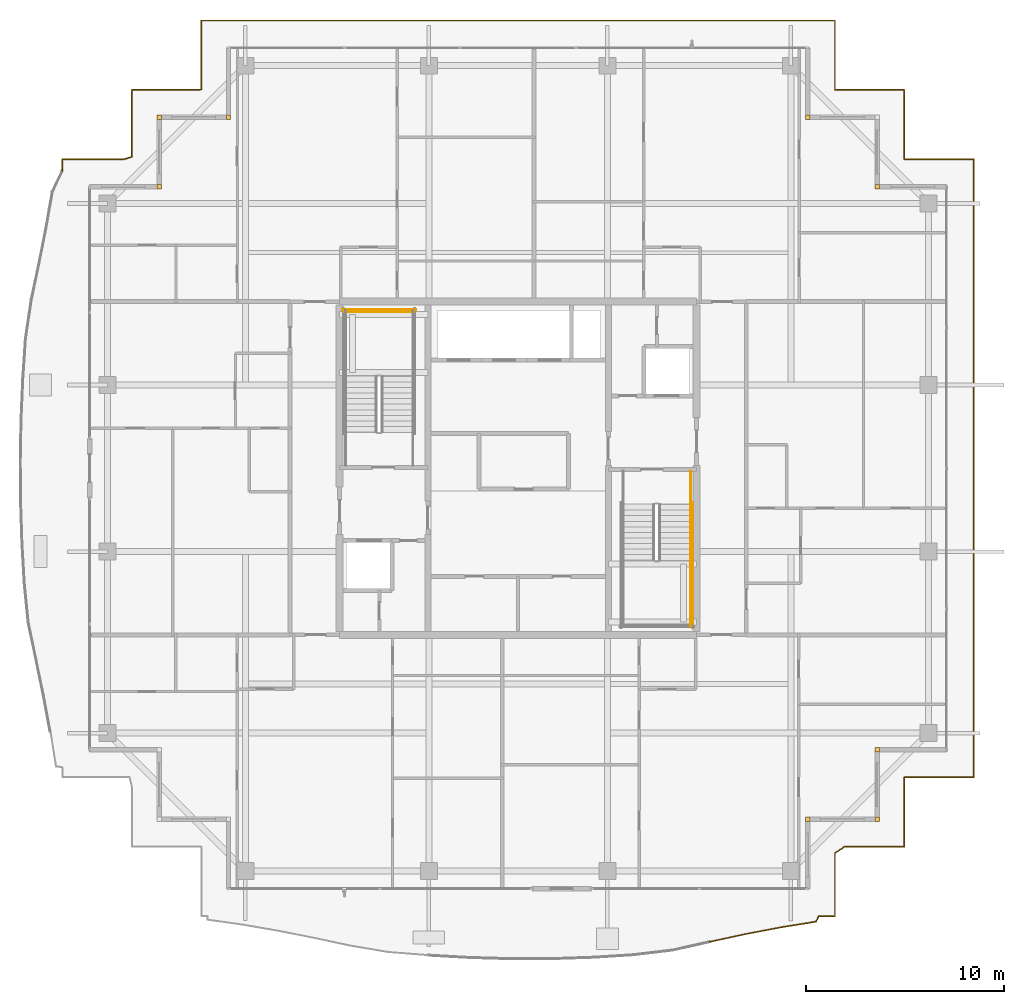
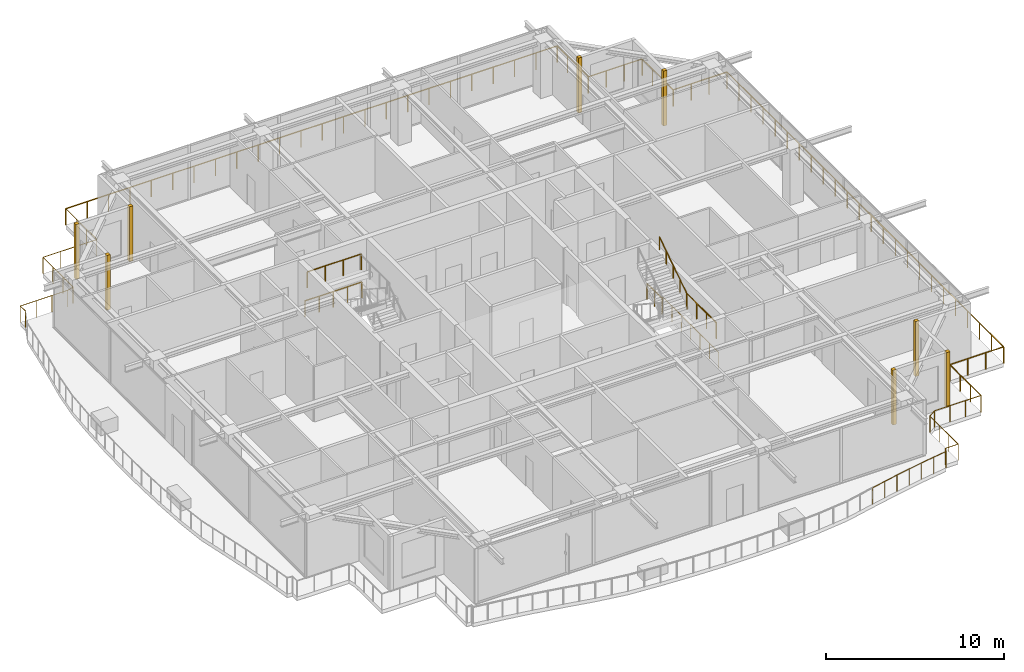
# One storey, part 35 of 36: 9 railings, 8 coverings.
"""IFC4 building model written with IfcOpenShell, lengths in metres."""

from ifc_helpers import new_model, si_unit, direction, frame, origin, origin_2d, place, context, subcontext, project, spatial, rectangle, circle, extrude, source, transform, mapped, material, layer, layer_set, type_object, element, save


model = new_model("IFC4")

# Units and contexts
model_context = context("Model", 3, precision=1e-05, world=origin(), true_north=direction((0.0, 1.0)))
body_context = subcontext(model_context, "Body", "Model", "MODEL_VIEW")
ifc_project = project(units=[si_unit("LENGTHUNIT", "METRE"), si_unit("AREAUNIT", "SQUARE_METRE"), si_unit("VOLUMEUNIT", "CUBIC_METRE"), si_unit("PLANEANGLEUNIT", "RADIAN"), si_unit("MASSUNIT", "GRAM", prefix="KILO")], contexts=[model_context])

# Site, building, storey
site_placement = place(None, origin())
site = spatial("IfcSite", under=ifc_project, at=site_placement, CompositionType="ELEMENT")
building_placement = place(site_placement, origin())
building = spatial("IfcBuilding", under=site, at=building_placement, Name="Serunith Strait Residences", CompositionType="ELEMENT")
storey_placement = place(building_placement, frame((0.0, 0.0, 338.0)))
storey = spatial("IfcBuildingStorey", under=building, at=storey_placement, Name="L84", CompositionType="ELEMENT", Elevation=338.0)

# Railings
ifc_material_1 = material(Name="Stainless Steel & Laminated Glass Balustrade", Category="steel")
railing_type_1 = type_object("IfcRailingType", Name="RLG-BALC-1150", PredefinedType="BALUSTRADE", material=ifc_material_1)
railing_1_placement = place(storey_placement, frame((9.419921875, 40.195068359375, -0.050048828125)))
element("IfcRailing", 1, at=railing_1_placement, inside=storey, type_object=railing_type_1, Name="L84 Swirling Balcony Perimeter Balustrade 4", PredefinedType="BALUSTRADE", context=body_context, shape_type="SweptSolid", body=[
    extrude(circle(Radius=0.02392578125, at=origin_2d()), frame((0.0, 0.001953125, 1.1259765625), z_axis=(0.0, 1.0, 0.0), x_axis=(-1.0, 0.0, 0.0)), (0.0, 0.0, 1.0), 0.5810546875),
    extrude(circle(Radius=0.02392578125, at=origin_2d()), frame((0.001953125, 0.5849609375, 1.1259765625), z_axis=(1.0, 0.0, 0.0), x_axis=(0.0, 1.0, 0.0)), (0.0, 0.0, 1.0), 3.083740234375),
    extrude(circle(Radius=0.02392578125, at=origin_2d()), frame((3.089599609375, 0.58544921875, 1.1259765625), z_axis=(0.957779450299, 0.287503955774, 0.0), x_axis=(-0.287503955774, 0.957779450299, 0.0)), (0.0, 0.0, 1.0), 0.426513671875),
    extrude(circle(Radius=0.02392578125, at=origin_2d()), frame((3.5, 0.710693359375, 1.1259765625), z_axis=(0.0, 1.0, 0.0), x_axis=(-1.0, 0.0, 0.0)), (0.0, 0.0, 1.0), 3.372314453125),
    extrude(circle(Radius=0.02392578125, at=origin_2d()), frame((3.501953125, 4.0849609375, 1.1259765625), z_axis=(1.0, 0.0, 0.0), x_axis=(0.0, 1.0, 0.0)), (0.0, 0.0, 1.0), 3.44384765625),
    extrude(circle(Radius=0.02392578125, at=origin_2d()), frame((7.0, 4.1142578125, 1.1259765625), z_axis=(0.0, 1.0, 0.0), x_axis=(-1.0, 0.0, 0.0)), (0.0, 0.0, 1.0), 3.46875),
    extrude(circle(Radius=0.02099609375, at=origin_2d()), origin(), (0.0, 0.0, 1.0), 1.099853515625),
    extrude(circle(Radius=0.02099609375, at=origin_2d()), frame((0.0, 0.5849609375, 0.0)), (0.0, 0.0, 1.0), 1.099853515625),
    extrude(circle(Radius=0.02099609375, at=origin_2d()), frame((1.029296875, 0.5849609375, 0.0)), (0.0, 0.0, 1.0), 1.099853515625),
    extrude(circle(Radius=0.02099609375, at=origin_2d()), frame((2.058349609375, 0.5849609375, 0.0)), (0.0, 0.0, 1.0), 1.099853515625),
    extrude(circle(Radius=0.02099609375, at=origin_2d()), frame((3.087646484375, 0.5849609375, 0.0)), (0.0, 0.0, 1.0), 1.099853515625),
    extrude(circle(Radius=0.02099609375, at=origin_2d()), frame((3.5, 0.708740234375, 0.0)), (0.0, 0.0, 1.0), 1.099853515625),
    extrude(circle(Radius=0.02099609375, at=origin_2d()), frame((3.5, 1.834228515625, 0.0)), (0.0, 0.0, 1.0), 1.099853515625),
    extrude(circle(Radius=0.02099609375, at=origin_2d()), frame((3.5, 2.95947265625, 0.0)), (0.0, 0.0, 1.0), 1.099853515625),
    extrude(circle(Radius=0.02099609375, at=origin_2d()), frame((3.5, 4.0849609375, 0.0)), (0.0, 0.0, 1.0), 1.099853515625),
    extrude(circle(Radius=0.02099609375, at=origin_2d()), frame((4.649169921875, 4.0849609375, 0.0)), (0.0, 0.0, 1.0), 1.099853515625),
    extrude(circle(Radius=0.02099609375, at=origin_2d()), frame((5.798583984375, 4.0849609375, 0.0)), (0.0, 0.0, 1.0), 1.099853515625),
    extrude(circle(Radius=0.02099609375, at=origin_2d()), frame((7.0, 4.1123046875, 0.0)), (0.0, 0.0, 1.0), 1.099853515625),
    extrude(circle(Radius=0.02099609375, at=origin_2d()), frame((7.0, 5.269775390625, 0.0)), (0.0, 0.0, 1.0), 1.099853515625),
    extrude(circle(Radius=0.02099609375, at=origin_2d()), frame((7.0, 6.427490234375, 0.0)), (0.0, 0.0, 1.0), 1.099853515625),
    extrude(circle(Radius=0.02099609375, at=origin_2d()), frame((7.0, 7.5849609375, 0.0)), (0.0, 0.0, 1.0), 1.099853515625),
])
railing_2_placement = place(storey_placement, frame((16.419921875, 47.780029296875, -0.050048828125)))
element("IfcRailing", 2, at=railing_2_placement, inside=storey, type_object=railing_type_1, Name="L84 Swirling Balcony Perimeter Balustrade 5", PredefinedType="BALUSTRADE", context=body_context, shape_type="SweptSolid", body=[
    extrude(circle(Radius=0.02392578125, at=origin_2d()), frame((0.001953125, 0.0, 1.1259765625), z_axis=(1.0, 0.0, 0.0), x_axis=(0.0, 1.0, 0.0)), (0.0, 0.0, 1.0), 31.9560546875),
    extrude(circle(Radius=0.02392578125, at=origin_2d()), frame((31.9599609375, -0.001953125, 1.1259765625), z_axis=(0.0, -1.0, 0.0), x_axis=(1.0, 0.0, 0.0)), (0.0, 0.0, 1.0), 3.49609375),
    extrude(circle(Radius=0.02392578125, at=origin_2d()), frame((31.9619140625, -3.5, 1.1259765625), z_axis=(1.0, 0.0, 0.0), x_axis=(0.0, 1.0, 0.0)), (0.0, 0.0, 1.0), 3.49609375),
    extrude(circle(Radius=0.02392578125, at=origin_2d()), frame((35.4599609375, -3.501953125, 1.1259765625), z_axis=(0.0, -1.0, 0.0), x_axis=(1.0, 0.0, 0.0)), (0.0, 0.0, 1.0), 3.49609375),
    extrude(circle(Radius=0.02392578125, at=origin_2d()), frame((35.4619140625, -7.0, 1.1259765625), z_axis=(1.0, 0.0, 0.0), x_axis=(0.0, 1.0, 0.0)), (0.0, 0.0, 1.0), 3.49609375),
    extrude(circle(Radius=0.02392578125, at=origin_2d()), frame((38.9599609375, -7.001953125, 1.1259765625), z_axis=(0.0, -1.0, 0.0), x_axis=(1.0, 0.0, 0.0)), (0.0, 0.0, 1.0), 31.156005859375),
    extrude(circle(Radius=0.02392578125, at=origin_2d()), frame((38.9580078125, -38.159912109375, 1.1259765625), z_axis=(-1.0, 0.0, 0.0), x_axis=(0.0, -1.0, 0.0)), (0.0, 0.0, 1.0), 3.49609375),
    extrude(circle(Radius=0.02392578125, at=origin_2d()), frame((35.4599609375, -38.161865234375, 1.1259765625), z_axis=(0.0, -1.0, 0.0), x_axis=(1.0, 0.0, 0.0)), (0.0, 0.0, 1.0), 3.49609375),
    extrude(circle(Radius=0.02099609375, at=origin_2d()), origin(), (0.0, 0.0, 1.0), 1.099853515625),
    extrude(circle(Radius=0.02099609375, at=origin_2d()), frame((1.3896484375, 0.0, 0.0)), (0.0, 0.0, 1.0), 1.099853515625),
    extrude(circle(Radius=0.02099609375, at=origin_2d()), frame((2.779052734375, 0.0, 0.0)), (0.0, 0.0, 1.0), 1.099853515625),
    extrude(circle(Radius=0.02099609375, at=origin_2d()), frame((4.168701171875, 0.0, 0.0)), (0.0, 0.0, 1.0), 1.099853515625),
    extrude(circle(Radius=0.02099609375, at=origin_2d()), frame((5.558349609375, 0.0, 0.0)), (0.0, 0.0, 1.0), 1.099853515625),
    extrude(circle(Radius=0.02099609375, at=origin_2d()), frame((6.94775390625, 0.0, 0.0)), (0.0, 0.0, 1.0), 1.099853515625),
    extrude(circle(Radius=0.02099609375, at=origin_2d()), frame((8.33740234375, 0.0, 0.0)), (0.0, 0.0, 1.0), 1.099853515625),
    extrude(circle(Radius=0.02099609375, at=origin_2d()), frame((9.72705078125, 0.0, 0.0)), (0.0, 0.0, 1.0), 1.099853515625),
    extrude(circle(Radius=0.02099609375, at=origin_2d()), frame((11.116455078125, 0.0, 0.0)), (0.0, 0.0, 1.0), 1.099853515625),
    extrude(circle(Radius=0.02099609375, at=origin_2d()), frame((12.506103515625, 0.0, 0.0)), (0.0, 0.0, 1.0), 1.099853515625),
    extrude(circle(Radius=0.02099609375, at=origin_2d()), frame((13.895751953125, 0.0, 0.0)), (0.0, 0.0, 1.0), 1.099853515625),
    extrude(circle(Radius=0.02099609375, at=origin_2d()), frame((15.28515625, 0.0, 0.0)), (0.0, 0.0, 1.0), 1.099853515625),
    extrude(circle(Radius=0.02099609375, at=origin_2d()), frame((16.6748046875, 0.0, 0.0)), (0.0, 0.0, 1.0), 1.099853515625),
    extrude(circle(Radius=0.02099609375, at=origin_2d()), frame((18.064208984375, 0.0, 0.0)), (0.0, 0.0, 1.0), 1.099853515625),
    extrude(circle(Radius=0.02099609375, at=origin_2d()), frame((19.453857421875, 0.0, 0.0)), (0.0, 0.0, 1.0), 1.099853515625),
    extrude(circle(Radius=0.02099609375, at=origin_2d()), frame((20.843505859375, 0.0, 0.0)), (0.0, 0.0, 1.0), 1.099853515625),
    extrude(circle(Radius=0.02099609375, at=origin_2d()), frame((22.23291015625, 0.0, 0.0)), (0.0, 0.0, 1.0), 1.099853515625),
    extrude(circle(Radius=0.02099609375, at=origin_2d()), frame((23.62255859375, 0.0, 0.0)), (0.0, 0.0, 1.0), 1.099853515625),
    extrude(circle(Radius=0.02099609375, at=origin_2d()), frame((25.01220703125, 0.0, 0.0)), (0.0, 0.0, 1.0), 1.099853515625),
    extrude(circle(Radius=0.02099609375, at=origin_2d()), frame((26.401611328125, 0.0, 0.0)), (0.0, 0.0, 1.0), 1.099853515625),
    extrude(circle(Radius=0.02099609375, at=origin_2d()), frame((27.791259765625, 0.0, 0.0)), (0.0, 0.0, 1.0), 1.099853515625),
    extrude(circle(Radius=0.02099609375, at=origin_2d()), frame((29.180908203125, 0.0, 0.0)), (0.0, 0.0, 1.0), 1.099853515625),
    extrude(circle(Radius=0.02099609375, at=origin_2d()), frame((30.5703125, 0.0, 0.0)), (0.0, 0.0, 1.0), 1.099853515625),
    extrude(circle(Radius=0.02099609375, at=origin_2d()), frame((31.9599609375, 0.0, 0.0)), (0.0, 0.0, 1.0), 1.099853515625),
    extrude(circle(Radius=0.02099609375, at=origin_2d()), frame((31.9599609375, -1.166748046875, 0.0)), (0.0, 0.0, 1.0), 1.099853515625),
    extrude(circle(Radius=0.02099609375, at=origin_2d()), frame((31.9599609375, -2.333251953125, 0.0)), (0.0, 0.0, 1.0), 1.099853515625),
    extrude(circle(Radius=0.02099609375, at=origin_2d()), frame((31.9599609375, -3.5, 0.0)), (0.0, 0.0, 1.0), 1.099853515625),
    extrude(circle(Radius=0.02099609375, at=origin_2d()), frame((33.126708984375, -3.5, 0.0)), (0.0, 0.0, 1.0), 1.099853515625),
    extrude(circle(Radius=0.02099609375, at=origin_2d()), frame((34.293212890625, -3.5, 0.0)), (0.0, 0.0, 1.0), 1.099853515625),
    extrude(circle(Radius=0.02099609375, at=origin_2d()), frame((35.4599609375, -3.5, 0.0)), (0.0, 0.0, 1.0), 1.099853515625),
    extrude(circle(Radius=0.02099609375, at=origin_2d()), frame((35.4599609375, -4.666748046875, 0.0)), (0.0, 0.0, 1.0), 1.099853515625),
    extrude(circle(Radius=0.02099609375, at=origin_2d()), frame((35.4599609375, -5.833251953125, 0.0)), (0.0, 0.0, 1.0), 1.099853515625),
    extrude(circle(Radius=0.02099609375, at=origin_2d()), frame((35.4599609375, -7.0, 0.0)), (0.0, 0.0, 1.0), 1.099853515625),
    extrude(circle(Radius=0.02099609375, at=origin_2d()), frame((36.626708984375, -7.0, 0.0)), (0.0, 0.0, 1.0), 1.099853515625),
    extrude(circle(Radius=0.02099609375, at=origin_2d()), frame((37.793212890625, -7.0, 0.0)), (0.0, 0.0, 1.0), 1.099853515625),
    extrude(circle(Radius=0.02099609375, at=origin_2d()), frame((38.9599609375, -7.0, 0.0)), (0.0, 0.0, 1.0), 1.099853515625),
    extrude(circle(Radius=0.02099609375, at=origin_2d()), frame((38.9599609375, -8.354736328125, 0.0)), (0.0, 0.0, 1.0), 1.099853515625),
    extrude(circle(Radius=0.02099609375, at=origin_2d()), frame((38.9599609375, -9.70947265625, 0.0)), (0.0, 0.0, 1.0), 1.099853515625),
    extrude(circle(Radius=0.02099609375, at=origin_2d()), frame((38.9599609375, -11.064453125, 0.0)), (0.0, 0.0, 1.0), 1.099853515625),
    extrude(circle(Radius=0.02099609375, at=origin_2d()), frame((38.9599609375, -12.419189453125, 0.0)), (0.0, 0.0, 1.0), 1.099853515625),
    extrude(circle(Radius=0.02099609375, at=origin_2d()), frame((38.9599609375, -13.77392578125, 0.0)), (0.0, 0.0, 1.0), 1.099853515625),
    extrude(circle(Radius=0.02099609375, at=origin_2d()), frame((38.9599609375, -15.128662109375, 0.0)), (0.0, 0.0, 1.0), 1.099853515625),
    extrude(circle(Radius=0.02099609375, at=origin_2d()), frame((38.9599609375, -16.4833984375, 0.0)), (0.0, 0.0, 1.0), 1.099853515625),
    extrude(circle(Radius=0.02099609375, at=origin_2d()), frame((38.9599609375, -17.838134765625, 0.0)), (0.0, 0.0, 1.0), 1.099853515625),
    extrude(circle(Radius=0.02099609375, at=origin_2d()), frame((38.9599609375, -19.193115234375, 0.0)), (0.0, 0.0, 1.0), 1.099853515625),
    extrude(circle(Radius=0.02099609375, at=origin_2d()), frame((38.9599609375, -20.5478515625, 0.0)), (0.0, 0.0, 1.0), 1.099853515625),
    extrude(circle(Radius=0.02099609375, at=origin_2d()), frame((38.9599609375, -21.902587890625, 0.0)), (0.0, 0.0, 1.0), 1.099853515625),
    extrude(circle(Radius=0.02099609375, at=origin_2d()), frame((38.9599609375, -23.25732421875, 0.0)), (0.0, 0.0, 1.0), 1.099853515625),
    extrude(circle(Radius=0.02099609375, at=origin_2d()), frame((38.9599609375, -24.612060546875, 0.0)), (0.0, 0.0, 1.0), 1.099853515625),
    extrude(circle(Radius=0.02099609375, at=origin_2d()), frame((38.9599609375, -25.966796875, 0.0)), (0.0, 0.0, 1.0), 1.099853515625),
    extrude(circle(Radius=0.02099609375, at=origin_2d()), frame((38.9599609375, -27.32177734375, 0.0)), (0.0, 0.0, 1.0), 1.099853515625),
    extrude(circle(Radius=0.02099609375, at=origin_2d()), frame((38.9599609375, -28.676513671875, 0.0)), (0.0, 0.0, 1.0), 1.099853515625),
    extrude(circle(Radius=0.02099609375, at=origin_2d()), frame((38.9599609375, -30.03125, 0.0)), (0.0, 0.0, 1.0), 1.099853515625),
    extrude(circle(Radius=0.02099609375, at=origin_2d()), frame((38.9599609375, -31.385986328125, 0.0)), (0.0, 0.0, 1.0), 1.099853515625),
    extrude(circle(Radius=0.02099609375, at=origin_2d()), frame((38.9599609375, -32.74072265625, 0.0)), (0.0, 0.0, 1.0), 1.099853515625),
    extrude(circle(Radius=0.02099609375, at=origin_2d()), frame((38.9599609375, -34.095458984375, 0.0)), (0.0, 0.0, 1.0), 1.099853515625),
    extrude(circle(Radius=0.02099609375, at=origin_2d()), frame((38.9599609375, -35.450439453125, 0.0)), (0.0, 0.0, 1.0), 1.099853515625),
    extrude(circle(Radius=0.02099609375, at=origin_2d()), frame((38.9599609375, -36.80517578125, 0.0)), (0.0, 0.0, 1.0), 1.099853515625),
    extrude(circle(Radius=0.02099609375, at=origin_2d()), frame((38.9599609375, -38.159912109375, 0.0)), (0.0, 0.0, 1.0), 1.099853515625),
    extrude(circle(Radius=0.02099609375, at=origin_2d()), frame((37.793212890625, -38.159912109375, 0.0)), (0.0, 0.0, 1.0), 1.099853515625),
    extrude(circle(Radius=0.02099609375, at=origin_2d()), frame((36.626708984375, -38.159912109375, 0.0)), (0.0, 0.0, 1.0), 1.099853515625),
    extrude(circle(Radius=0.02099609375, at=origin_2d()), frame((35.4599609375, -38.159912109375, 0.0)), (0.0, 0.0, 1.0), 1.099853515625),
    extrude(circle(Radius=0.02099609375, at=origin_2d()), frame((35.4599609375, -39.32666015625, 0.0)), (0.0, 0.0, 1.0), 1.099853515625),
    extrude(circle(Radius=0.02099609375, at=origin_2d()), frame((35.4599609375, -40.4931640625, 0.0)), (0.0, 0.0, 1.0), 1.099853515625),
    extrude(circle(Radius=0.02099609375, at=origin_2d()), frame((35.4599609375, -41.659912109375, 0.0)), (0.0, 0.0, 1.0), 1.099853515625),
])
railing_3_placement = place(storey_placement, frame((51.8798828125, 6.1201171875, -0.050048828125)))
element("IfcRailing", 3, at=railing_3_placement, inside=storey, type_object=railing_type_1, Name="L84 Swirling Balcony Perimeter Balustrade 6", PredefinedType="BALUSTRADE", context=body_context, shape_type="SweptSolid", body=[
    extrude(circle(Radius=0.02392578125, at=origin_2d()), frame((-0.001953125, 0.0, 1.1259765625), z_axis=(-1.0, 0.0, 0.0), x_axis=(0.0, -1.0, 0.0)), (0.0, 0.0, 1.0), 3.007568359375),
    extrude(circle(Radius=0.02392578125, at=origin_2d()), frame((-3.01318359375, -0.0009765625, 1.1259765625), z_axis=(-0.836844344824, -0.547440903236, 0.0), x_axis=(0.547440903236, -0.836844344824, 0.0)), (0.0, 0.0, 1.0), 0.579833984375),
    extrude(circle(Radius=0.02392578125, at=origin_2d()), frame((-3.5, -0.321533203125, 1.1259765625), z_axis=(0.0, -1.0, 0.0), x_axis=(1.0, 0.0, 0.0)), (0.0, 0.0, 1.0), 3.176513671875),
    extrude(circle(Radius=0.02392578125, at=origin_2d()), frame((-3.501953125, -3.5, 1.1259765625), z_axis=(-1.0, 0.0, 0.0), x_axis=(0.0, -1.0, 0.0)), (0.0, 0.0, 1.0), 0.811767578125),
    extrude(circle(Radius=0.02392578125, at=origin_2d()), frame((-4.316650390625, -3.501708984375, 1.1259765625), z_axis=(-0.44254099565, -0.896748274138, 0.0), x_axis=(0.896748274138, -0.44254099565, 0.0)), (0.0, 0.0, 1.0), 0.309814453125),
    extrude(circle(Radius=0.02392578125, at=origin_2d()), frame((-4.45654296875, -3.78173828125, 1.1259765625), z_axis=(-0.987452584094, -0.15791578188, 0.0), x_axis=(0.15791578188, -0.987452584094, 0.0)), (0.0, 0.0, 1.0), 1.780029296875),
    extrude(circle(Radius=0.02392578125, at=origin_2d()), frame((-6.21826171875, -4.063720703125, 1.1259765625), z_axis=(-0.982049665646, -0.188622517753, 0.0), x_axis=(0.188622517753, -0.982049665646, 0.0)), (0.0, 0.0, 1.0), 1.80810546875),
    extrude(circle(Radius=0.02392578125, at=origin_2d()), frame((-7.997802734375, -4.405517578125, 1.1259765625), z_axis=(-0.977323140027, -0.211753347006, 0.0), x_axis=(0.211753347006, -0.977323140027, 0.0)), (0.0, 0.0, 1.0), 1.8544921875),
    extrude(circle(Radius=0.02099609375, at=origin_2d()), origin(), (0.0, 0.0, 1.0), 1.099853515625),
    extrude(circle(Radius=0.02099609375, at=origin_2d()), frame((-1.00390625, 0.0, 0.0)), (0.0, 0.0, 1.0), 1.099853515625),
    extrude(circle(Radius=0.02099609375, at=origin_2d()), frame((-2.007568359375, 0.0, 0.0)), (0.0, 0.0, 1.0), 1.099853515625),
    extrude(circle(Radius=0.02099609375, at=origin_2d()), frame((-3.011474609375, 0.0, 0.0)), (0.0, 0.0, 1.0), 1.099853515625),
    extrude(circle(Radius=0.02099609375, at=origin_2d()), frame((-3.5, -0.319580078125, 0.0)), (0.0, 0.0, 1.0), 1.099853515625),
    extrude(circle(Radius=0.02099609375, at=origin_2d()), frame((-3.5, -1.379638671875, 0.0)), (0.0, 0.0, 1.0), 1.099853515625),
    extrude(circle(Radius=0.02099609375, at=origin_2d()), frame((-3.5, -2.43994140625, 0.0)), (0.0, 0.0, 1.0), 1.099853515625),
    extrude(circle(Radius=0.02099609375, at=origin_2d()), frame((-3.5, -3.5, 0.0)), (0.0, 0.0, 1.0), 1.099853515625),
    extrude(circle(Radius=0.02099609375, at=origin_2d()), frame((-4.315673828125, -3.5, 0.0)), (0.0, 0.0, 1.0), 1.099853515625),
    extrude(circle(Radius=0.02099609375, at=origin_2d()), frame((-4.45458984375, -3.781494140625, 0.0)), (0.0, 0.0, 1.0), 1.099853515625),
    extrude(circle(Radius=0.02099609375, at=origin_2d()), frame((-5.33544921875, -3.92236328125, 0.0)), (0.0, 0.0, 1.0), 1.099853515625),
    extrude(circle(Radius=0.02099609375, at=origin_2d()), frame((-6.21630859375, -4.063232421875, 0.0)), (0.0, 0.0, 1.0), 1.099853515625),
    extrude(circle(Radius=0.02099609375, at=origin_2d()), frame((-7.10595703125, -4.234130859375, 0.0)), (0.0, 0.0, 1.0), 1.099853515625),
    extrude(circle(Radius=0.02099609375, at=origin_2d()), frame((-7.995849609375, -4.405029296875, 0.0)), (0.0, 0.0, 1.0), 1.099853515625),
    extrude(circle(Radius=0.02099609375, at=origin_2d()), frame((-8.904052734375, -4.601806640625, 0.0)), (0.0, 0.0, 1.0), 1.099853515625),
    extrude(circle(Radius=0.02099609375, at=origin_2d()), frame((-9.812255859375, -4.798583984375, 0.0)), (0.0, 0.0, 1.0), 1.099853515625),
])
ifc_material_2 = material(Name="Brushed stainless steel 316L", Category="steel")
railing_type_2 = type_object("IfcRailingType", Name="RLG-STAIR-GUARD", PredefinedType="BALUSTRADE", material=ifc_material_2)
railing_4_placement = place(storey_placement, frame((27.14990234375, 33.10009765625, 2.02490234375)))
element("IfcRailing", 4, at=railing_4_placement, inside=storey, type_object=railing_type_2, Name="L84 ST-1 stair guard 5", PredefinedType="BALUSTRADE", context=body_context, shape_type="SweptSolid", body=[
    extrude(circle(Radius=0.02392578125, at=origin_2d()), frame((-0.001953125, 0.0, 1.076171875), z_axis=(-1.0, 0.0, 0.0), x_axis=(0.0, -1.0, 0.0)), (0.0, 0.0, 1.0), 3.49609375),
    extrude(circle(Radius=0.02099609375, at=origin_2d()), origin(), (0.0, 0.0, 1.0), 1.050048828125),
    extrude(circle(Radius=0.02099609375, at=origin_2d()), frame((-1.166748046875, 0.0, 0.0)), (0.0, 0.0, 1.0), 1.050048828125),
    extrude(circle(Radius=0.02099609375, at=origin_2d()), frame((-2.333251953125, 0.0, 0.0)), (0.0, 0.0, 1.0), 1.050048828125),
    extrude(circle(Radius=0.02099609375, at=origin_2d()), frame((-3.5, 0.0, 0.0)), (0.0, 0.0, 1.0), 1.050048828125),
])
railing_5_placement = place(storey_placement, frame((27.25, 33.199951171875, 0.0)))
element("IfcRailing", 5, at=railing_5_placement, inside=storey, type_object=railing_type_2, Name="L84 ST-1 stair guard 12", PredefinedType="BALUSTRADE", context=body_context, shape_type="SweptSolid", body=[
    extrude(circle(Radius=0.02392578125, at=origin_2d()), frame((-0.001953125, 0.0, 1.076171875), z_axis=(-1.0, 0.0, 0.0), x_axis=(0.0, -1.0, 0.0)), (0.0, 0.0, 1.0), 3.696044921875),
    extrude(circle(Radius=0.02099609375, at=origin_2d()), origin(), (0.0, 0.0, 1.0), 1.050048828125),
    extrude(circle(Radius=0.02099609375, at=origin_2d()), frame((-0.925048828125, 0.0, 0.0)), (0.0, 0.0, 1.0), 1.050048828125),
    extrude(circle(Radius=0.02099609375, at=origin_2d()), frame((-1.85009765625, 0.0, 0.0)), (0.0, 0.0, 1.0), 1.050048828125),
    extrude(circle(Radius=0.02099609375, at=origin_2d()), frame((-2.77490234375, 0.0, 0.0)), (0.0, 0.0, 1.0), 1.050048828125),
    extrude(circle(Radius=0.02099609375, at=origin_2d()), frame((-3.699951171875, 0.0, 0.0)), (0.0, 0.0, 1.0), 1.050048828125),
])
railing_6_placement = place(storey_placement, frame((41.10009765625, 20.570068359375, 2.02490234375)))
element("IfcRailing", 6, at=railing_6_placement, inside=storey, type_object=railing_type_2, Name="L84 ST-2 stair guard 4", PredefinedType="BALUSTRADE", context=body_context, shape_type="SweptSolid", body=[
    extrude(circle(Radius=0.02392578125, at=origin_2d()), frame((0.0, -0.001953125, 1.076171875), z_axis=(0.0, -1.0, 0.0), x_axis=(1.0, 0.0, 0.0)), (0.0, 0.0, 1.0), 3.316162109375),
    extrude(circle(Radius=0.02099609375, at=origin_2d()), origin(), (0.0, 0.0, 1.0), 1.050048828125),
    extrude(circle(Radius=0.02099609375, at=origin_2d()), frame((0.0, -1.106689453125, 0.0)), (0.0, 0.0, 1.0), 1.050048828125),
    extrude(circle(Radius=0.02099609375, at=origin_2d()), frame((0.0, -2.21337890625, 0.0)), (0.0, 0.0, 1.0), 1.050048828125),
    extrude(circle(Radius=0.02099609375, at=origin_2d()), frame((0.0, -3.320068359375, 0.0)), (0.0, 0.0, 1.0), 1.050048828125),
])
railing_7_placement = place(storey_placement, frame((41.10009765625, 25.050048828125, 0.0)))
element("IfcRailing", 7, at=railing_7_placement, inside=storey, type_object=railing_type_2, Name="L84 ST-2 stair guard 9", PredefinedType="BALUSTRADE", context=body_context, shape_type="SweptSolid", body=[
    extrude(circle(Radius=0.02392578125, at=origin_2d()), frame((0.0, -0.001953125, 1.076171875), z_axis=(0.0, -1.0, 0.0), x_axis=(1.0, 0.0, 0.0)), (0.0, 0.0, 1.0), 1.676025390625),
    extrude(circle(Radius=0.02099609375, at=origin_2d()), origin(), (0.0, 0.0, 1.0), 1.050048828125),
    extrude(circle(Radius=0.02099609375, at=origin_2d()), frame((0.0, -0.83984375, 0.0)), (0.0, 0.0, 1.0), 1.050048828125),
    extrude(circle(Radius=0.02099609375, at=origin_2d()), frame((0.0, -1.679931640625, 0.0)), (0.0, 0.0, 1.0), 1.050048828125),
])
railing_8_placement = place(storey_placement, frame((41.199951171875, 23.469970703125, 0.0)))
element("IfcRailing", 8, at=railing_8_placement, inside=storey, type_object=railing_type_2, Name="L84 ST-2 stair guard 11", PredefinedType="BALUSTRADE", context=body_context, shape_type="SweptSolid", body=[
    extrude(circle(Radius=0.02392578125, at=origin_2d()), frame((0.0, -0.001953125, 1.076171875), z_axis=(0.0, -1.0, 0.0), x_axis=(1.0, 0.0, 0.0)), (0.0, 0.0, 1.0), 6.316162109375),
    extrude(circle(Radius=0.02099609375, at=origin_2d()), origin(), (0.0, 0.0, 1.0), 1.050048828125),
    extrude(circle(Radius=0.02099609375, at=origin_2d()), frame((0.0, -1.05322265625, 0.0)), (0.0, 0.0, 1.0), 1.050048828125),
    extrude(circle(Radius=0.02099609375, at=origin_2d()), frame((0.0, -2.106689453125, 0.0)), (0.0, 0.0, 1.0), 1.050048828125),
    extrude(circle(Radius=0.02099609375, at=origin_2d()), frame((0.0, -3.16015625, 0.0)), (0.0, 0.0, 1.0), 1.050048828125),
    extrude(circle(Radius=0.02099609375, at=origin_2d()), frame((0.0, -4.21337890625, 0.0)), (0.0, 0.0, 1.0), 1.050048828125),
    extrude(circle(Radius=0.02099609375, at=origin_2d()), frame((0.0, -5.2666015625, 0.0)), (0.0, 0.0, 1.0), 1.050048828125),
    extrude(circle(Radius=0.02099609375, at=origin_2d()), frame((0.0, -6.320068359375, 0.0)), (0.0, 0.0, 1.0), 1.050048828125),
])
railing_type_3 = type_object("IfcRailingType", Name="RLG-STAIR-HR", PredefinedType="HANDRAIL", material=ifc_material_2)
railing_9_placement = place(storey_placement, frame((41.10009765625, 20.570068359375, 2.208984375)))
element("IfcRailing", 9, at=railing_9_placement, inside=storey, type_object=railing_type_3, Name="L84 ST-2 stair handrail 2", PredefinedType="HANDRAIL", context=body_context, shape_type="SweptSolid", body=[
    extrude(circle(Radius=0.02392578125, at=origin_2d()), frame((0.0, 0.001708984375, 0.876953125), z_axis=(0.0, 0.834940924727, 0.550339579002), x_axis=(-1.0, 0.0, 0.0)), (0.0, 0.0, 1.0), 3.6845703125),
    extrude(circle(Radius=0.02099609375, at=origin_2d()), origin(), (0.0, 0.0, 1.0), 0.849853515625),
    extrude(circle(Radius=0.02099609375, at=origin_2d()), frame((0.0, 0.77001953125, 0.507568359375)), (0.0, 0.0, 1.0), 0.849853515625),
    extrude(circle(Radius=0.02099609375, at=origin_2d()), frame((0.0, 1.5400390625, 1.01513671875)), (0.0, 0.0, 1.0), 0.849853515625),
    extrude(circle(Radius=0.02099609375, at=origin_2d()), frame((0.0, 2.309814453125, 1.5224609375)), (0.0, 0.0, 1.0), 0.849853515625),
    extrude(circle(Radius=0.02099609375, at=origin_2d()), frame((0.0, 3.079833984375, 2.030029296875)), (0.0, 0.0, 1.0), 0.849853515625),
])

# Coverings
ifc_material_3 = material(Name="Pale-Champagne Anodised Aluminium", Category="aluminium")
ifc_layer = layer(ifc_material_3, 0.219970703125, Name="Pale-Champagne Anodised Aluminium")
ifc_layer_set = layer_set([ifc_layer], Name="Pale-Champagne Anodised Aluminium")
covering_type = type_object("IfcCoveringType", Name="COV-CORN-TRIM", PredefinedType="CLADDING", material=ifc_layer_set)
shared_shape = source(origin(), body_context, "Body", "SweptSolid", [
    extrude(rectangle(XDim=0.221923828125, YDim=0.221923828125, at=origin_2d()), origin(), (0.0, 0.0, 1.0), 3.77490234375),
])
for number, where, z_axis, x_axis, name in (
    (10, (47.0, 7.5, 0.0), (0.0, 0.0, 1.0), (1.0, 0.0, 0.0), "L84 Girih Serrated Corner Trim Post 02"),
    (11, (50.5, 7.5, 0.0), (0.0, 0.0, 1.0), (1.0, 0.0, 0.0), "L84 Girih Serrated Corner Trim Post 03"),
    (12, (50.5, 11.0, 0.0), (0.0, 0.0, 1.0), (1.0, 0.0, 0.0), "L84 Girih Serrated Corner Trim Post 04"),
    (13, (50.5, 39.39990234375, 0.0), (0.0, 0.0, 1.0), (1.0, 0.0, 0.0), "L84 Girih Serrated Corner Trim Post 07"),
    (14, (47.0, 42.89990234375, 0.0), (0.0, 0.0, 1.0), (1.0, 0.0, 0.0), "L84 Girih Serrated Corner Trim Post 09"),
    (15, (17.800048828125, 42.89990234375, 0.0), (0.0, 0.0, 1.0), (1.0, 0.0, 0.0), "L84 Girih Serrated Corner Trim Post 12"),
    (16, (14.300048828125, 42.89990234375, 0.0), (0.0, 0.0, 1.0), (1.0, 0.0, 0.0), "L84 Girih Serrated Corner Trim Post 13"),
    (17, (14.300048828125, 39.39990234375, 0.0), (0.0, 0.0, 1.0), (1.0, 0.0, 0.0), "L84 Girih Serrated Corner Trim Post 14"),
):
    element("IfcCovering", number, at=place(storey_placement, frame(where, z_axis=z_axis, x_axis=x_axis)), inside=storey, type_object=covering_type, Name=name, PredefinedType="CLADDING", context=body_context, shape_type="MappedRepresentation", body=[
        mapped(shared_shape, transform((0.0, 0.0, 0.0), scale=1.0)),
    ])

save(model, "model.ifc")
